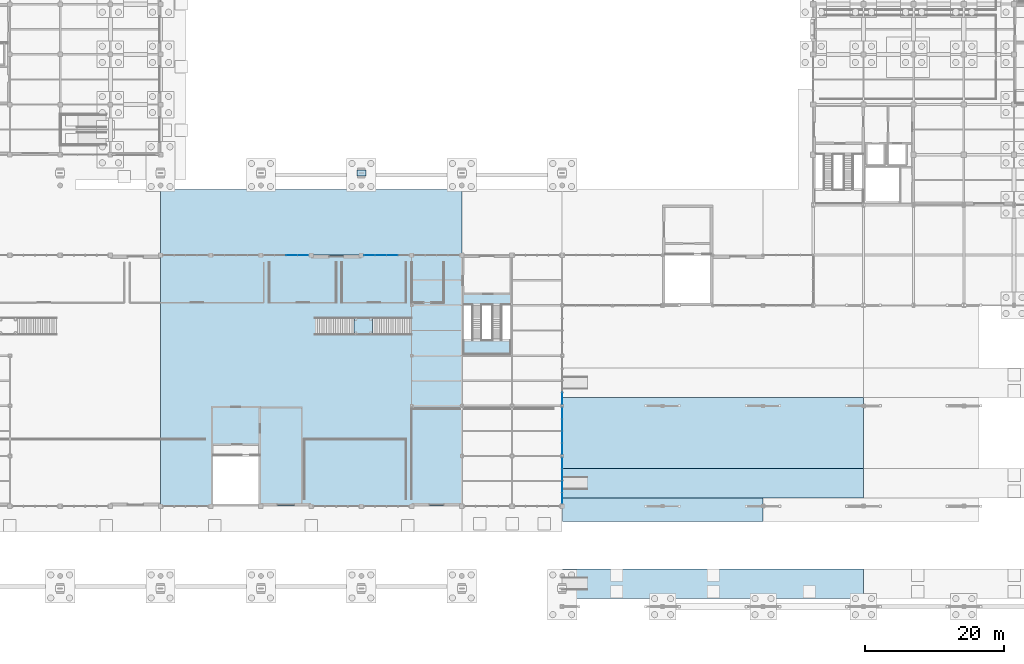
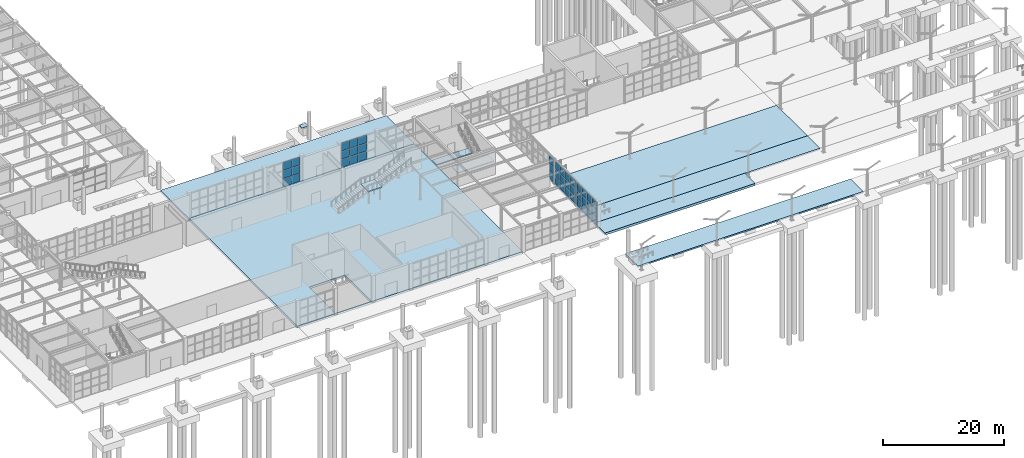
# One storey, part 44 of 75: 43 plates, 9 slabs, 7 elements without a shape of their own.
"""IFC4 building model written with IfcOpenShell, lengths in metres."""

from ifc_helpers import new_model, si_unit, direction, frame, origin, origin_2d, place, context, subcontext, project, spatial, polyline, rectangle, outline, extrude, material, layer, layer_set, type_object, element, aggregate, save


model = new_model("IFC4")

# Units and contexts
model_context = context("Model", 3, precision=1e-05, world=origin(), true_north=direction((0.0, 1.0)))
body_context = subcontext(model_context, "Body", "Model", "MODEL_VIEW")
ifc_project = project(units=[si_unit("LENGTHUNIT", "METRE"), si_unit("AREAUNIT", "SQUARE_METRE"), si_unit("VOLUMEUNIT", "CUBIC_METRE"), si_unit("PLANEANGLEUNIT", "RADIAN"), si_unit("MASSUNIT", "GRAM", prefix="KILO")], contexts=[model_context])

# Site, building, storey
site_placement = place(None, origin())
site = spatial("IfcSite", under=ifc_project, at=site_placement, CompositionType="ELEMENT")
building_placement = place(site_placement, origin())
building = spatial("IfcBuilding", under=site, at=building_placement, Name="Leyfeld Transit Interchange", CompositionType="ELEMENT")
storey_placement = place(building_placement, origin())
storey = spatial("IfcBuildingStorey", under=building, at=storey_placement, Name="L00", CompositionType="ELEMENT", Elevation=0.0)

# Curtain wall, plates
ifc_material_1 = material(Name="Anodised aluminium EN AW-6060 T66", Category="aluminium")
curtain_wall_type = type_object("IfcCurtainWallType", Name="CW-SYS-ARC-7200", PredefinedType="NOTDEFINED", material=ifc_material_1)
curtain_wall_1_placement = place(storey_placement, origin())
curtain_wall_1 = element("IfcCurtainWall", 1, at=curtain_wall_1_placement, inside=storey, type_object=curtain_wall_type, Name="Curtain Wall CW-L00-016", PredefinedType="NOTDEFINED")
ifc_material_2 = material(Name="Triple low-E insulated glazing", Category="glass")
ifc_layer_1 = layer(ifc_material_2, 0.0439453125, Name="Triple low-E insulated glazing")
ifc_layer_set_1 = layer_set([ifc_layer_1], Name="Triple low-E insulated glazing")
plate_type_1 = type_object("IfcPlateType", Name="CW-PNL-GLZ-44", PredefinedType="CURTAIN_PANEL", material=ifc_layer_set_1)
plate_1_placement = place(storey_placement, frame((62.021240234375, 50.39990234375, 0.08349609375), z_axis=(0.0, 0.0, 1.0), x_axis=(1.0, 0.0, 0.0)))
plate_1 = element("IfcPlate", 2, at=plate_1_placement, type_object=plate_type_1, Name="Glazed Curtain Panel CW-L00-016-P03_1", PredefinedType="CURTAIN_PANEL", context=body_context, shape_type="SweptSolid", body=[
    extrude(rectangle(XDim=1.560546875, YDim=0.0439453125, at=origin_2d()), origin(), (0.0, 0.0, 1.0), 1.589599609375),
])
plate_2_placement = place(storey_placement, frame((62.021240234375, 50.39990234375, 1.75537109375), z_axis=(0.0, 0.0, 1.0), x_axis=(1.0, 0.0, 0.0)))
plate_2 = element("IfcPlate", 3, at=plate_2_placement, type_object=plate_type_1, Name="Glazed Curtain Panel CW-L00-016-P03_2", PredefinedType="CURTAIN_PANEL", context=body_context, shape_type="SweptSolid", body=[
    extrude(rectangle(XDim=1.560546875, YDim=0.0439453125, at=origin_2d()), origin(), (0.0, 0.0, 1.0), 1.589599609375),
])
plate_3_placement = place(storey_placement, frame((62.021240234375, 50.39990234375, 3.4267578125), z_axis=(0.0, 0.0, 1.0), x_axis=(1.0, 0.0, 0.0)))
plate_3 = element("IfcPlate", 4, at=plate_3_placement, type_object=plate_type_1, Name="Glazed Curtain Panel CW-L00-016-P03_3", PredefinedType="CURTAIN_PANEL", context=body_context, shape_type="SweptSolid", body=[
    extrude(rectangle(XDim=1.560546875, YDim=0.0439453125, at=origin_2d()), origin(), (0.0, 0.0, 1.0), 1.589599609375),
])
plate_4_placement = place(storey_placement, frame((63.642578125, 50.39990234375, 0.08349609375), z_axis=(0.0, 0.0, 1.0), x_axis=(1.0, 0.0, 0.0)))
plate_4 = element("IfcPlate", 5, at=plate_4_placement, type_object=plate_type_1, Name="Glazed Curtain Panel CW-L00-016-P04_1", PredefinedType="CURTAIN_PANEL", context=body_context, shape_type="SweptSolid", body=[
    extrude(rectangle(XDim=1.51806640625, YDim=0.0439453125, at=origin_2d()), origin(), (0.0, 0.0, 1.0), 1.589599609375),
])
plate_5_placement = place(storey_placement, frame((63.642578125, 50.39990234375, 1.75537109375), z_axis=(0.0, 0.0, 1.0), x_axis=(1.0, 0.0, 0.0)))
plate_5 = element("IfcPlate", 6, at=plate_5_placement, type_object=plate_type_1, Name="Glazed Curtain Panel CW-L00-016-P04_2", PredefinedType="CURTAIN_PANEL", context=body_context, shape_type="SweptSolid", body=[
    extrude(rectangle(XDim=1.51806640625, YDim=0.0439453125, at=origin_2d()), origin(), (0.0, 0.0, 1.0), 1.589599609375),
])
plate_6_placement = place(storey_placement, frame((63.642578125, 50.39990234375, 3.4267578125), z_axis=(0.0, 0.0, 1.0), x_axis=(1.0, 0.0, 0.0)))
plate_6 = element("IfcPlate", 7, at=plate_6_placement, type_object=plate_type_1, Name="Glazed Curtain Panel CW-L00-016-P04_3", PredefinedType="CURTAIN_PANEL", context=body_context, shape_type="SweptSolid", body=[
    extrude(rectangle(XDim=1.51806640625, YDim=0.0439453125, at=origin_2d()), origin(), (0.0, 0.0, 1.0), 1.589599609375),
])
aggregate(curtain_wall_1, [plate_1, plate_2, plate_3, plate_4, plate_5, plate_6])

curtain_wall_2_placement = place(storey_placement, origin())
curtain_wall_2 = element("IfcCurtainWall", 8, at=curtain_wall_2_placement, inside=storey, type_object=curtain_wall_type, Name="Curtain Wall CW-L00-017", PredefinedType="NOTDEFINED")
plate_7_placement = place(storey_placement, frame((73.157470703125, 50.39990234375, 0.08349609375), z_axis=(0.0, 0.0, 1.0), x_axis=(1.0, 0.0, 0.0)))
plate_7 = element("IfcPlate", 9, at=plate_7_placement, type_object=plate_type_1, Name="Glazed Curtain Panel CW-L00-017-P01_1", PredefinedType="CURTAIN_PANEL", context=body_context, shape_type="SweptSolid", body=[
    extrude(rectangle(XDim=1.51806640625, YDim=0.0439453125, at=origin_2d()), origin(), (0.0, 0.0, 1.0), 1.589599609375),
])
plate_8_placement = place(storey_placement, frame((73.157470703125, 50.39990234375, 1.75537109375), z_axis=(0.0, 0.0, 1.0), x_axis=(1.0, 0.0, 0.0)))
plate_8 = element("IfcPlate", 10, at=plate_8_placement, type_object=plate_type_1, Name="Glazed Curtain Panel CW-L00-017-P01_2", PredefinedType="CURTAIN_PANEL", context=body_context, shape_type="SweptSolid", body=[
    extrude(rectangle(XDim=1.51806640625, YDim=0.0439453125, at=origin_2d()), origin(), (0.0, 0.0, 1.0), 1.589599609375),
])
plate_9_placement = place(storey_placement, frame((73.157470703125, 50.39990234375, 3.4267578125), z_axis=(0.0, 0.0, 1.0), x_axis=(1.0, 0.0, 0.0)))
plate_9 = element("IfcPlate", 11, at=plate_9_placement, type_object=plate_type_1, Name="Glazed Curtain Panel CW-L00-017-P01_3", PredefinedType="CURTAIN_PANEL", context=body_context, shape_type="SweptSolid", body=[
    extrude(rectangle(XDim=1.51806640625, YDim=0.0439453125, at=origin_2d()), origin(), (0.0, 0.0, 1.0), 1.589599609375),
])
plate_10_placement = place(storey_placement, frame((74.77880859375, 50.39990234375, 0.08349609375), z_axis=(0.0, 0.0, 1.0), x_axis=(1.0, 0.0, 0.0)))
plate_10 = element("IfcPlate", 12, at=plate_10_placement, type_object=plate_type_1, Name="Glazed Curtain Panel CW-L00-017-P02_1", PredefinedType="CURTAIN_PANEL", context=body_context, shape_type="SweptSolid", body=[
    extrude(rectangle(XDim=1.560546875, YDim=0.0439453125, at=origin_2d()), origin(), (0.0, 0.0, 1.0), 1.589599609375),
])
plate_11_placement = place(storey_placement, frame((74.77880859375, 50.39990234375, 1.75537109375), z_axis=(0.0, 0.0, 1.0), x_axis=(1.0, 0.0, 0.0)))
plate_11 = element("IfcPlate", 13, at=plate_11_placement, type_object=plate_type_1, Name="Glazed Curtain Panel CW-L00-017-P02_2", PredefinedType="CURTAIN_PANEL", context=body_context, shape_type="SweptSolid", body=[
    extrude(rectangle(XDim=1.560546875, YDim=0.0439453125, at=origin_2d()), origin(), (0.0, 0.0, 1.0), 1.589599609375),
])
plate_12_placement = place(storey_placement, frame((74.77880859375, 50.39990234375, 3.4267578125), z_axis=(0.0, 0.0, 1.0), x_axis=(1.0, 0.0, 0.0)))
plate_12 = element("IfcPlate", 14, at=plate_12_placement, type_object=plate_type_1, Name="Glazed Curtain Panel CW-L00-017-P02_3", PredefinedType="CURTAIN_PANEL", context=body_context, shape_type="SweptSolid", body=[
    extrude(rectangle(XDim=1.560546875, YDim=0.0439453125, at=origin_2d()), origin(), (0.0, 0.0, 1.0), 1.589599609375),
])
plate_13_placement = place(storey_placement, frame((76.42138671875, 50.39990234375, 0.08349609375), z_axis=(0.0, 0.0, 1.0), x_axis=(1.0, 0.0, 0.0)))
plate_13 = element("IfcPlate", 15, at=plate_13_placement, type_object=plate_type_1, Name="Glazed Curtain Panel CW-L00-017-P03_1", PredefinedType="CURTAIN_PANEL", context=body_context, shape_type="SweptSolid", body=[
    extrude(rectangle(XDim=1.560546875, YDim=0.0439453125, at=origin_2d()), origin(), (0.0, 0.0, 1.0), 1.589599609375),
])
plate_14_placement = place(storey_placement, frame((76.42138671875, 50.39990234375, 1.75537109375), z_axis=(0.0, 0.0, 1.0), x_axis=(1.0, 0.0, 0.0)))
plate_14 = element("IfcPlate", 16, at=plate_14_placement, type_object=plate_type_1, Name="Glazed Curtain Panel CW-L00-017-P03_2", PredefinedType="CURTAIN_PANEL", context=body_context, shape_type="SweptSolid", body=[
    extrude(rectangle(XDim=1.560546875, YDim=0.0439453125, at=origin_2d()), origin(), (0.0, 0.0, 1.0), 1.589599609375),
])
plate_15_placement = place(storey_placement, frame((76.42138671875, 50.39990234375, 3.4267578125), z_axis=(0.0, 0.0, 1.0), x_axis=(1.0, 0.0, 0.0)))
plate_15 = element("IfcPlate", 17, at=plate_15_placement, type_object=plate_type_1, Name="Glazed Curtain Panel CW-L00-017-P03_3", PredefinedType="CURTAIN_PANEL", context=body_context, shape_type="SweptSolid", body=[
    extrude(rectangle(XDim=1.560546875, YDim=0.0439453125, at=origin_2d()), origin(), (0.0, 0.0, 1.0), 1.589599609375),
])
aggregate(curtain_wall_2, [plate_7, plate_8, plate_9, plate_10, plate_11, plate_12, plate_13, plate_14, plate_15])

curtain_wall_3_placement = place(storey_placement, origin())
curtain_wall_3 = element("IfcCurtainWall", 18, at=curtain_wall_3_placement, inside=storey, type_object=curtain_wall_type, Name="Curtain Wall CW-L00-029", PredefinedType="NOTDEFINED")
plate_16_placement = place(storey_placement, frame((100.800048828125, 29.84716796875, 0.08349609375), z_axis=(0.0, 0.0, 1.0), x_axis=(0.0, -1.0, 0.0)))
plate_16 = element("IfcPlate", 19, at=plate_16_placement, type_object=plate_type_1, Name="Glazed Curtain Panel CW-L00-029-P04_1", PredefinedType="CURTAIN_PANEL", context=body_context, shape_type="SweptSolid", body=[
    extrude(rectangle(XDim=1.591552734375, YDim=0.0439453125, at=origin_2d()), origin(), (0.0, 0.0, 1.0), 1.479736328125),
])
plate_17_placement = place(storey_placement, frame((100.800048828125, 29.84716796875, 1.645263671875), z_axis=(0.0, 0.0, 1.0), x_axis=(0.0, -1.0, 0.0)))
plate_17 = element("IfcPlate", 20, at=plate_17_placement, type_object=plate_type_1, Name="Glazed Curtain Panel CW-L00-029-P04_2", PredefinedType="CURTAIN_PANEL", context=body_context, shape_type="SweptSolid", body=[
    extrude(rectangle(XDim=1.591552734375, YDim=0.0439453125, at=origin_2d()), origin(), (0.0, 0.0, 1.0), 1.4794921875),
])
plate_18_placement = place(storey_placement, frame((100.800048828125, 29.84716796875, 3.20654296875), z_axis=(0.0, 0.0, 1.0), x_axis=(0.0, -1.0, 0.0)))
plate_18 = element("IfcPlate", 21, at=plate_18_placement, type_object=plate_type_1, Name="Glazed Curtain Panel CW-L00-029-P04_3", PredefinedType="CURTAIN_PANEL", context=body_context, shape_type="SweptSolid", body=[
    extrude(rectangle(XDim=1.591552734375, YDim=0.0439453125, at=origin_2d()), origin(), (0.0, 0.0, 1.0), 1.479736328125),
])
aggregate(curtain_wall_3, [plate_16, plate_17, plate_18])

curtain_wall_4_placement = place(storey_placement, origin())
curtain_wall_4 = element("IfcCurtainWall", 22, at=curtain_wall_4_placement, inside=storey, type_object=curtain_wall_type, Name="Curtain Wall CW-L00-030", PredefinedType="NOTDEFINED")
plate_19_placement = place(storey_placement, frame((100.800048828125, 27.7529296875, 0.08349609375), z_axis=(0.0, 0.0, 1.0), x_axis=(0.0, -1.0, 0.0)))
plate_19 = element("IfcPlate", 23, at=plate_19_placement, type_object=plate_type_1, Name="Glazed Curtain Panel CW-L00-030-P01_1", PredefinedType="CURTAIN_PANEL", context=body_context, shape_type="SweptSolid", body=[
    extrude(rectangle(XDim=1.591552734375, YDim=0.0439453125, at=origin_2d()), origin(), (0.0, 0.0, 1.0), 1.479736328125),
])
plate_20_placement = place(storey_placement, frame((100.800048828125, 27.7529296875, 1.645263671875), z_axis=(0.0, 0.0, 1.0), x_axis=(0.0, -1.0, 0.0)))
plate_20 = element("IfcPlate", 24, at=plate_20_placement, type_object=plate_type_1, Name="Glazed Curtain Panel CW-L00-030-P01_2", PredefinedType="CURTAIN_PANEL", context=body_context, shape_type="SweptSolid", body=[
    extrude(rectangle(XDim=1.591552734375, YDim=0.0439453125, at=origin_2d()), origin(), (0.0, 0.0, 1.0), 1.4794921875),
])
plate_21_placement = place(storey_placement, frame((100.800048828125, 27.7529296875, 3.20654296875), z_axis=(0.0, 0.0, 1.0), x_axis=(0.0, -1.0, 0.0)))
plate_21 = element("IfcPlate", 25, at=plate_21_placement, type_object=plate_type_1, Name="Glazed Curtain Panel CW-L00-030-P01_3", PredefinedType="CURTAIN_PANEL", context=body_context, shape_type="SweptSolid", body=[
    extrude(rectangle(XDim=1.591552734375, YDim=0.0439453125, at=origin_2d()), origin(), (0.0, 0.0, 1.0), 1.479736328125),
])
plate_22_placement = place(storey_placement, frame((100.800048828125, 26.05810546875, 0.08349609375), z_axis=(0.0, 0.0, 1.0), x_axis=(0.0, -1.0, 0.0)))
plate_22 = element("IfcPlate", 26, at=plate_22_placement, type_object=plate_type_1, Name="Glazed Curtain Panel CW-L00-030-P02_1", PredefinedType="CURTAIN_PANEL", context=body_context, shape_type="SweptSolid", body=[
    extrude(rectangle(XDim=1.634033203125, YDim=0.0439453125, at=origin_2d()), origin(), (0.0, 0.0, 1.0), 1.479736328125),
])
plate_23_placement = place(storey_placement, frame((100.800048828125, 26.05810546875, 1.645263671875), z_axis=(0.0, 0.0, 1.0), x_axis=(0.0, -1.0, 0.0)))
plate_23 = element("IfcPlate", 27, at=plate_23_placement, type_object=plate_type_1, Name="Glazed Curtain Panel CW-L00-030-P02_2", PredefinedType="CURTAIN_PANEL", context=body_context, shape_type="SweptSolid", body=[
    extrude(rectangle(XDim=1.634033203125, YDim=0.0439453125, at=origin_2d()), origin(), (0.0, 0.0, 1.0), 1.4794921875),
])
plate_24_placement = place(storey_placement, frame((100.800048828125, 26.05810546875, 3.20654296875), z_axis=(0.0, 0.0, 1.0), x_axis=(0.0, -1.0, 0.0)))
plate_24 = element("IfcPlate", 28, at=plate_24_placement, type_object=plate_type_1, Name="Glazed Curtain Panel CW-L00-030-P02_3", PredefinedType="CURTAIN_PANEL", context=body_context, shape_type="SweptSolid", body=[
    extrude(rectangle(XDim=1.634033203125, YDim=0.0439453125, at=origin_2d()), origin(), (0.0, 0.0, 1.0), 1.479736328125),
])
plate_25_placement = place(storey_placement, frame((100.800048828125, 24.342041015625, 0.08349609375), z_axis=(0.0, 0.0, 1.0), x_axis=(0.0, -1.0, 0.0)))
plate_25 = element("IfcPlate", 29, at=plate_25_placement, type_object=plate_type_1, Name="Glazed Curtain Panel CW-L00-030-P03_1", PredefinedType="CURTAIN_PANEL", context=body_context, shape_type="SweptSolid", body=[
    extrude(rectangle(XDim=1.634033203125, YDim=0.0439453125, at=origin_2d()), origin(), (0.0, 0.0, 1.0), 1.479736328125),
])
plate_26_placement = place(storey_placement, frame((100.800048828125, 24.342041015625, 1.645263671875), z_axis=(0.0, 0.0, 1.0), x_axis=(0.0, -1.0, 0.0)))
plate_26 = element("IfcPlate", 30, at=plate_26_placement, type_object=plate_type_1, Name="Glazed Curtain Panel CW-L00-030-P03_2", PredefinedType="CURTAIN_PANEL", context=body_context, shape_type="SweptSolid", body=[
    extrude(rectangle(XDim=1.634033203125, YDim=0.0439453125, at=origin_2d()), origin(), (0.0, 0.0, 1.0), 1.4794921875),
])
plate_27_placement = place(storey_placement, frame((100.800048828125, 24.342041015625, 3.20654296875), z_axis=(0.0, 0.0, 1.0), x_axis=(0.0, -1.0, 0.0)))
plate_27 = element("IfcPlate", 31, at=plate_27_placement, type_object=plate_type_1, Name="Glazed Curtain Panel CW-L00-030-P03_3", PredefinedType="CURTAIN_PANEL", context=body_context, shape_type="SweptSolid", body=[
    extrude(rectangle(XDim=1.634033203125, YDim=0.0439453125, at=origin_2d()), origin(), (0.0, 0.0, 1.0), 1.479736328125),
])
plate_28_placement = place(storey_placement, frame((100.800048828125, 22.647216796875, 0.08349609375), z_axis=(0.0, 0.0, 1.0), x_axis=(0.0, -1.0, 0.0)))
plate_28 = element("IfcPlate", 32, at=plate_28_placement, type_object=plate_type_1, Name="Glazed Curtain Panel CW-L00-030-P04_1", PredefinedType="CURTAIN_PANEL", context=body_context, shape_type="SweptSolid", body=[
    extrude(rectangle(XDim=1.591552734375, YDim=0.0439453125, at=origin_2d()), origin(), (0.0, 0.0, 1.0), 1.479736328125),
])
plate_29_placement = place(storey_placement, frame((100.800048828125, 22.647216796875, 1.645263671875), z_axis=(0.0, 0.0, 1.0), x_axis=(0.0, -1.0, 0.0)))
plate_29 = element("IfcPlate", 33, at=plate_29_placement, type_object=plate_type_1, Name="Glazed Curtain Panel CW-L00-030-P04_2", PredefinedType="CURTAIN_PANEL", context=body_context, shape_type="SweptSolid", body=[
    extrude(rectangle(XDim=1.591552734375, YDim=0.0439453125, at=origin_2d()), origin(), (0.0, 0.0, 1.0), 1.4794921875),
])
plate_30_placement = place(storey_placement, frame((100.800048828125, 22.647216796875, 3.20654296875), z_axis=(0.0, 0.0, 1.0), x_axis=(0.0, -1.0, 0.0)))
plate_30 = element("IfcPlate", 34, at=plate_30_placement, type_object=plate_type_1, Name="Glazed Curtain Panel CW-L00-030-P04_3", PredefinedType="CURTAIN_PANEL", context=body_context, shape_type="SweptSolid", body=[
    extrude(rectangle(XDim=1.591552734375, YDim=0.0439453125, at=origin_2d()), origin(), (0.0, 0.0, 1.0), 1.479736328125),
])
aggregate(curtain_wall_4, [plate_19, plate_20, plate_21, plate_22, plate_23, plate_24, plate_25, plate_26, plate_27, plate_28, plate_29, plate_30])

curtain_wall_5_placement = place(storey_placement, origin())
curtain_wall_5 = element("IfcCurtainWall", 35, at=curtain_wall_5_placement, inside=storey, type_object=curtain_wall_type, Name="Curtain Wall CW-L00-031", PredefinedType="NOTDEFINED")
plate_31_placement = place(storey_placement, frame((100.800048828125, 20.5712890625, 0.08349609375), z_axis=(0.0, 0.0, 1.0), x_axis=(0.0, -1.0, 0.0)))
plate_31 = element("IfcPlate", 36, at=plate_31_placement, type_object=plate_type_1, Name="Glazed Curtain Panel CW-L00-031-P01_1", PredefinedType="CURTAIN_PANEL", context=body_context, shape_type="SweptSolid", body=[
    extrude(rectangle(XDim=1.5546875, YDim=0.0439453125, at=origin_2d()), origin(), (0.0, 0.0, 1.0), 1.479736328125),
])
plate_32_placement = place(storey_placement, frame((100.800048828125, 20.5712890625, 1.645263671875), z_axis=(0.0, 0.0, 1.0), x_axis=(0.0, -1.0, 0.0)))
plate_32 = element("IfcPlate", 37, at=plate_32_placement, type_object=plate_type_1, Name="Glazed Curtain Panel CW-L00-031-P01_2", PredefinedType="CURTAIN_PANEL", context=body_context, shape_type="SweptSolid", body=[
    extrude(rectangle(XDim=1.5546875, YDim=0.0439453125, at=origin_2d()), origin(), (0.0, 0.0, 1.0), 1.4794921875),
])
plate_33_placement = place(storey_placement, frame((100.800048828125, 20.5712890625, 3.20654296875), z_axis=(0.0, 0.0, 1.0), x_axis=(0.0, -1.0, 0.0)))
plate_33 = element("IfcPlate", 38, at=plate_33_placement, type_object=plate_type_1, Name="Glazed Curtain Panel CW-L00-031-P01_3", PredefinedType="CURTAIN_PANEL", context=body_context, shape_type="SweptSolid", body=[
    extrude(rectangle(XDim=1.5546875, YDim=0.0439453125, at=origin_2d()), origin(), (0.0, 0.0, 1.0), 1.479736328125),
])
plate_34_placement = place(storey_placement, frame((100.800048828125, 18.913330078125, 0.08349609375), z_axis=(0.0, 0.0, 1.0), x_axis=(0.0, -1.0, 0.0)))
plate_34 = element("IfcPlate", 39, at=plate_34_placement, type_object=plate_type_1, Name="Glazed Curtain Panel CW-L00-031-P02_1", PredefinedType="CURTAIN_PANEL", context=body_context, shape_type="SweptSolid", body=[
    extrude(rectangle(XDim=1.597412109375, YDim=0.0439453125, at=origin_2d()), origin(), (0.0, 0.0, 1.0), 1.479736328125),
])
plate_35_placement = place(storey_placement, frame((100.800048828125, 18.913330078125, 1.645263671875), z_axis=(0.0, 0.0, 1.0), x_axis=(0.0, -1.0, 0.0)))
plate_35 = element("IfcPlate", 40, at=plate_35_placement, type_object=plate_type_1, Name="Glazed Curtain Panel CW-L00-031-P02_2", PredefinedType="CURTAIN_PANEL", context=body_context, shape_type="SweptSolid", body=[
    extrude(rectangle(XDim=1.597412109375, YDim=0.0439453125, at=origin_2d()), origin(), (0.0, 0.0, 1.0), 1.4794921875),
])
plate_36_placement = place(storey_placement, frame((100.800048828125, 18.913330078125, 3.20654296875), z_axis=(0.0, 0.0, 1.0), x_axis=(0.0, -1.0, 0.0)))
plate_36 = element("IfcPlate", 41, at=plate_36_placement, type_object=plate_type_1, Name="Glazed Curtain Panel CW-L00-031-P02_3", PredefinedType="CURTAIN_PANEL", context=body_context, shape_type="SweptSolid", body=[
    extrude(rectangle(XDim=1.597412109375, YDim=0.0439453125, at=origin_2d()), origin(), (0.0, 0.0, 1.0), 1.479736328125),
])
plate_37_placement = place(storey_placement, frame((100.800048828125, 17.23388671875, 0.08349609375), z_axis=(0.0, 0.0, 1.0), x_axis=(0.0, -1.0, 0.0)))
plate_37 = element("IfcPlate", 42, at=plate_37_placement, type_object=plate_type_1, Name="Glazed Curtain Panel CW-L00-031-P03_1", PredefinedType="CURTAIN_PANEL", context=body_context, shape_type="SweptSolid", body=[
    extrude(rectangle(XDim=1.597412109375, YDim=0.0439453125, at=origin_2d()), origin(), (0.0, 0.0, 1.0), 1.479736328125),
])
plate_38_placement = place(storey_placement, frame((100.800048828125, 17.23388671875, 1.645263671875), z_axis=(0.0, 0.0, 1.0), x_axis=(0.0, -1.0, 0.0)))
plate_38 = element("IfcPlate", 43, at=plate_38_placement, type_object=plate_type_1, Name="Glazed Curtain Panel CW-L00-031-P03_2", PredefinedType="CURTAIN_PANEL", context=body_context, shape_type="SweptSolid", body=[
    extrude(rectangle(XDim=1.597412109375, YDim=0.0439453125, at=origin_2d()), origin(), (0.0, 0.0, 1.0), 1.4794921875),
])
plate_39_placement = place(storey_placement, frame((100.800048828125, 17.23388671875, 3.20654296875), z_axis=(0.0, 0.0, 1.0), x_axis=(0.0, -1.0, 0.0)))
plate_39 = element("IfcPlate", 44, at=plate_39_placement, type_object=plate_type_1, Name="Glazed Curtain Panel CW-L00-031-P03_3", PredefinedType="CURTAIN_PANEL", context=body_context, shape_type="SweptSolid", body=[
    extrude(rectangle(XDim=1.597412109375, YDim=0.0439453125, at=origin_2d()), origin(), (0.0, 0.0, 1.0), 1.479736328125),
])
plate_40_placement = place(storey_placement, frame((100.800048828125, 15.575927734375, 0.08349609375), z_axis=(0.0, 0.0, 1.0), x_axis=(0.0, -1.0, 0.0)))
plate_40 = element("IfcPlate", 45, at=plate_40_placement, type_object=plate_type_1, Name="Glazed Curtain Panel CW-L00-031-P04_1", PredefinedType="CURTAIN_PANEL", context=body_context, shape_type="SweptSolid", body=[
    extrude(rectangle(XDim=1.5546875, YDim=0.0439453125, at=origin_2d()), origin(), (0.0, 0.0, 1.0), 1.479736328125),
])
plate_41_placement = place(storey_placement, frame((100.800048828125, 15.575927734375, 1.645263671875), z_axis=(0.0, 0.0, 1.0), x_axis=(0.0, -1.0, 0.0)))
plate_41 = element("IfcPlate", 46, at=plate_41_placement, type_object=plate_type_1, Name="Glazed Curtain Panel CW-L00-031-P04_2", PredefinedType="CURTAIN_PANEL", context=body_context, shape_type="SweptSolid", body=[
    extrude(rectangle(XDim=1.5546875, YDim=0.0439453125, at=origin_2d()), origin(), (0.0, 0.0, 1.0), 1.4794921875),
])
plate_42_placement = place(storey_placement, frame((100.800048828125, 15.575927734375, 3.20654296875), z_axis=(0.0, 0.0, 1.0), x_axis=(0.0, -1.0, 0.0)))
plate_42 = element("IfcPlate", 47, at=plate_42_placement, type_object=plate_type_1, Name="Glazed Curtain Panel CW-L00-031-P04_3", PredefinedType="CURTAIN_PANEL", context=body_context, shape_type="SweptSolid", body=[
    extrude(rectangle(XDim=1.5546875, YDim=0.0439453125, at=origin_2d()), origin(), (0.0, 0.0, 1.0), 1.479736328125),
])
aggregate(curtain_wall_5, [plate_31, plate_32, plate_33, plate_34, plate_35, plate_36, plate_37, plate_38, plate_39, plate_40, plate_41, plate_42])

# Plate
ifc_material_3 = material(Name="Steel S355J2", Category="steel")
ifc_layer_2 = layer(ifc_material_3, 0.035888671875, Name="Steel S355J2")
ifc_layer_set_2 = layer_set([ifc_layer_2], Name="Steel S355J2")
plate_type_2 = type_object("IfcPlateType", Name="PLT-BASE-36", PredefinedType="USERDEFINED", material=ifc_layer_set_2)
plate_43_placement = place(storey_placement, frame((72.0, 62.199951171875, 1.5), z_axis=(0.0, 0.0, 1.0), x_axis=(1.0, 0.0, 0.0)))
element("IfcPlate", 48, at=plate_43_placement, inside=storey, type_object=plate_type_2, Name="Arch Baseplate AR-05 12", ObjectType="BASE_PLATE", PredefinedType="USERDEFINED", context=body_context, shape_type="SweptSolid", body=[
    extrude(rectangle(XDim=1.300048828125, YDim=0.89990234375, at=origin_2d()), origin(), (0.0, 0.0, 1.0), 0.035888671875),
])

# Slab
ifc_material_4 = material(Name="Precast concrete C40/50", Category="concrete")
ifc_layer_3 = layer(ifc_material_4, 0.199951171875, Name="Precast concrete C40/50")
ifc_layer_set_3 = layer_set([ifc_layer_3], Name="Precast concrete C40/50")
slab_type_1 = type_object("IfcSlabType", Name="SLB-LND-200", PredefinedType="LANDING", material=ifc_layer_set_3)
slab_1_placement = place(storey_placement, frame((0.0, 0.0, -0.199951171875)))
element("IfcSlab", 49, at=slab_1_placement, inside=storey, type_object=slab_type_1, Name="Core K7 Stair Floor Landing L00", PredefinedType="LANDING", context=body_context, shape_type="SweptSolid", body=[
    extrude(outline(polyline([(86.56494140625, 43.300048828125), (93.43505859375, 43.300048828125), (93.43505859375, 44.844970703125), (86.56494140625, 44.844970703125), (86.56494140625, 43.300048828125)])), origin(), (0.0, 0.0, 1.0), 0.199951171875),
])

# Stair, slab
stair_type_1 = type_object("IfcStairType", Name="STR-HT-150x300", PredefinedType="HALF_TURN_STAIR", material=ifc_material_4)
stair_1_placement = place(storey_placement, origin())
stair_1 = element("IfcStair", 50, at=stair_1_placement, inside=storey, type_object=stair_type_1, Name="Exit Stair ST-07 (L00 to L01)", PredefinedType="HALF_TURN_STAIR")
slab_2_placement = place(storey_placement, frame((0.0, 0.0, 2.5)))
slab_2 = element("IfcSlab", 51, at=slab_2_placement, type_object=slab_type_1, Name="Stair ST-07 L00 Half Landing", PredefinedType="LANDING", context=body_context, shape_type="SweptSolid", body=[
    extrude(outline(polyline([(86.56494140625, 36.1650390625), (93.43505859375, 36.1650390625), (93.43505859375, 38.199951171875), (86.56494140625, 38.199951171875), (86.56494140625, 36.1650390625)])), origin(), (0.0, 0.0, 1.0), 0.199951171875),
])
aggregate(stair_1, [slab_2])

stair_type_2 = type_object("IfcStairType", Name="STR-SR-150x330", PredefinedType="STRAIGHT_RUN_STAIR", material=ifc_material_4)
stair_2_placement = place(storey_placement, origin())
stair_2 = element("IfcStair", 52, at=stair_2_placement, inside=storey, type_object=stair_type_2, Name="Concourse Feature Stair ST-11", PredefinedType="STRAIGHT_RUN_STAIR")
ifc_layer_4 = layer(ifc_material_4, 0.219970703125, Name="Precast concrete C40/50")
ifc_layer_set_4 = layer_set([ifc_layer_4], Name="Precast concrete C40/50")
slab_type_2 = type_object("IfcSlabType", Name="SLB-LND-220", PredefinedType="LANDING", material=ifc_layer_set_4)
slab_3_placement = place(storey_placement, frame((0.0, 0.0, 2.47998046875)))
slab_3 = element("IfcSlab", 53, at=slab_3_placement, type_object=slab_type_2, Name="Concourse Feature Stair ST-11 Mid Landing", PredefinedType="LANDING", context=body_context, shape_type="SweptSolid", body=[
    extrude(outline(polyline([(70.949951171875, 38.949951171875), (73.590087890625, 38.949951171875), (73.590087890625, 41.449951171875), (70.949951171875, 41.449951171875), (70.949951171875, 38.949951171875)])), origin(), (0.0, 0.0, 1.0), 0.219970703125),
])
aggregate(stair_2, [slab_3])

# Slabs
ifc_material_5 = material(Name="Concrete C35/45", Category="concrete")
ifc_layer_5 = layer(ifc_material_5, 0.300048828125, Name="Concrete C35/45")
ifc_layer_set_5 = layer_set([ifc_layer_5], Name="Concrete C35/45")
slab_type_3 = type_object("IfcSlabType", Name="SLB-TERR-300", PredefinedType="FLOOR", material=ifc_layer_set_5)
slab_4_placement = place(storey_placement, frame((0.0, 0.0, -0.300048828125)))
element("IfcSlab", 54, at=slab_4_placement, inside=storey, type_object=slab_type_3, Name="Outdoor Roof Terrace V2_ISL1 L00", PredefinedType="FLOOR", context=body_context, shape_type="SweptSolid", body=[
    extrude(outline(polyline([(144.0, 5.39990234375), (100.824951171875, 5.39990234375), (100.824951171875, 1.199951171875), (144.0, 1.199951171875), (144.0, 5.39990234375)])), origin(), (0.0, 0.0, 1.0), 0.300048828125),
])
slab_5_placement = place(storey_placement, frame((0.0, 0.0, -0.300048828125)))
element("IfcSlab", 55, at=slab_5_placement, inside=storey, type_object=slab_type_3, Name="Outdoor Roof Terrace V2_ISL2 L00", PredefinedType="FLOOR", context=body_context, shape_type="SweptSolid", body=[
    extrude(outline(polyline([(144.0, 19.800048828125), (100.824951171875, 19.800048828125), (100.824951171875, 15.60009765625), (144.0, 15.60009765625), (144.0, 19.800048828125)])), origin(), (0.0, 0.0, 1.0), 0.300048828125),
])
ifc_material_6 = material(Name="Concrete C40/50", Category="concrete")
ifc_layer_6 = layer(ifc_material_6, 0.449951171875, Name="Concrete C40/50")
ifc_layer_set_6 = layer_set([ifc_layer_6], Name="Concrete C40/50")
slab_type_4 = type_object("IfcSlabType", Name="SLB-TRF-450", PredefinedType="FLOOR", material=ifc_layer_set_6)
slab_6_placement = place(storey_placement, frame((0.0, 0.0, -0.449951171875)))
element("IfcSlab", 56, at=slab_6_placement, inside=storey, type_object=slab_type_4, Name="Slab V1 L00 B2", PredefinedType="FLOOR", context=body_context, shape_type="SweptSolid", body=[
    extrude(outline(polyline([(86.39990234375, 50.39990234375), (43.199951171875, 50.39990234375), (43.199951171875, 14.39990234375), (86.39990234375, 14.39990234375), (86.39990234375, 50.39990234375)]), holes=[polyline([(57.43505859375, 14.56494140625), (50.56494140625, 14.56494140625), (50.56494140625, 23.25), (57.43505859375, 23.25), (57.43505859375, 14.56494140625)])]), origin(), (0.0, 0.0, 1.0), 0.449951171875),
])
slab_7_placement = place(storey_placement, frame((0.0, 0.0, -0.449951171875)))
element("IfcSlab", 57, at=slab_7_placement, inside=storey, type_object=slab_type_4, Name="Outdoor Roof Terrace PLZ_LID1 L00", PredefinedType="FLOOR", context=body_context, shape_type="SweptSolid", body=[
    extrude(outline(polyline([(100.824951171875, 15.60009765625), (100.824951171875, 12.199951171875), (129.60009765625, 12.199951171875), (129.60009765625, 15.60009765625), (100.824951171875, 15.60009765625)])), origin(), (0.0, 0.0, 1.0), 0.449951171875),
])
slab_8_placement = place(storey_placement, frame((0.0, 0.0, -0.449951171875)))
element("IfcSlab", 58, at=slab_8_placement, inside=storey, type_object=slab_type_4, Name="Outdoor Roof Terrace PLZ_LID3 L00", PredefinedType="FLOOR", context=body_context, shape_type="SweptSolid", body=[
    extrude(outline(polyline([(86.39990234375, 59.800048828125), (43.199951171875, 59.800048828125), (43.199951171875, 50.39990234375), (86.39990234375, 50.39990234375), (86.39990234375, 59.800048828125)])), origin(), (0.0, 0.0, 1.0), 0.449951171875),
])
slab_9_placement = place(storey_placement, frame((0.0, 0.0, -0.449951171875)))
element("IfcSlab", 59, at=slab_9_placement, inside=storey, type_object=slab_type_4, Name="Outdoor Roof Terrace PLZ_LID6 L00", PredefinedType="FLOOR", context=body_context, shape_type="SweptSolid", body=[
    extrude(outline(polyline([(100.824951171875, 30.0), (100.824951171875, 19.800048828125), (144.0, 19.800048828125), (144.0, 30.0), (100.824951171875, 30.0)])), origin(), (0.0, 0.0, 1.0), 0.449951171875),
])

save(model, "model.ifc")
